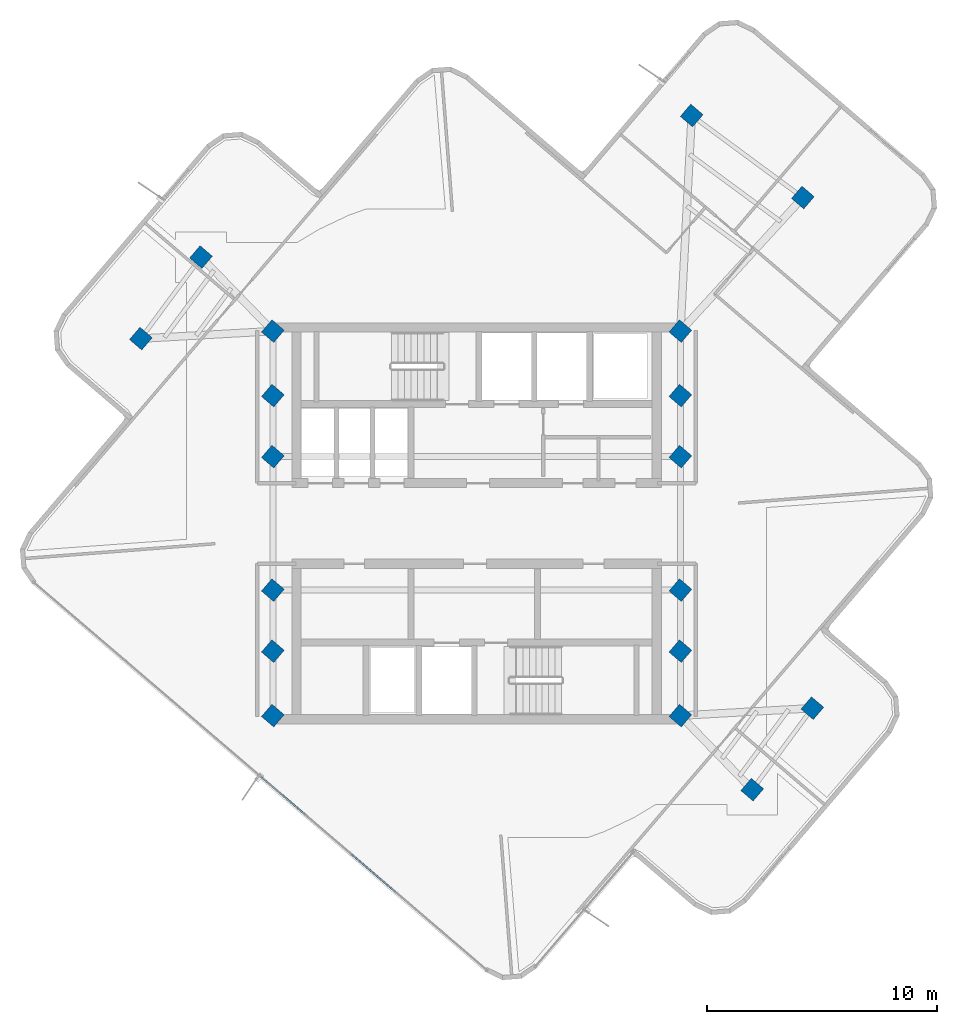
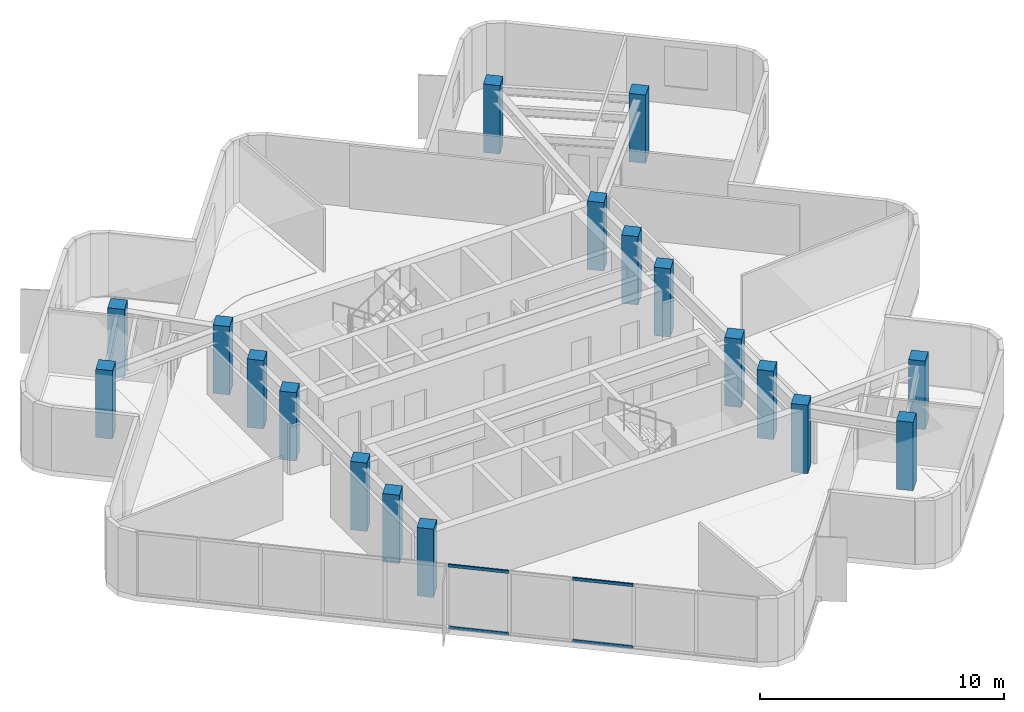
# One storey, part 1 of 11: 18 columns, 4 members, 1 element without a shape of its own.
"""IFC4 building model written with IfcOpenShell, lengths in metres."""

from ifc_helpers import new_model, si_unit, direction, frame, origin, origin_2d, place, context, subcontext, project, spatial, rectangle, extrude, material, layer, layer_set, material_profile, profile_set, type_object, element, aggregate, save


model = new_model("IFC4")

# Units and contexts
model_context = context("Model", 3, precision=1e-05, world=origin(), true_north=direction((0.0, 1.0)))
body_context = subcontext(model_context, "Body", "Model", "MODEL_VIEW")
ifc_project = project(units=[si_unit("LENGTHUNIT", "METRE"), si_unit("AREAUNIT", "SQUARE_METRE"), si_unit("VOLUMEUNIT", "CUBIC_METRE"), si_unit("PLANEANGLEUNIT", "RADIAN"), si_unit("MASSUNIT", "GRAM", prefix="KILO")], contexts=[model_context])

# Site, building, storey
site_placement = place(None, origin())
site = spatial("IfcSite", under=ifc_project, at=site_placement, CompositionType="ELEMENT")
building_placement = place(site_placement, origin())
building = spatial("IfcBuilding", under=site, at=building_placement, Name="Solmarez Civic Tower", CompositionType="ELEMENT")
storey_placement = place(building_placement, frame((0.0, 0.0, 250.919921875)))
storey = spatial("IfcBuildingStorey", under=building, at=storey_placement, Name="L67", CompositionType="ELEMENT", Elevation=250.919921875)

# Columns
ifc_material_1 = material(Name="Concrete C50/60", Category="concrete")
ifc_material_profile_1 = material_profile(ifc_material_1, rectangle(XDim=0.699951171875, YDim=0.699951171875, at=origin_2d()), Name="RC700X700")
ifc_profile_set_1 = profile_set([ifc_material_profile_1], Name="Concrete C50/60")
column_type = type_object("IfcColumnType", Name="COL-RC700", PredefinedType="COLUMN", material=ifc_profile_set_1)
for number, where, z_axis, x_axis, name in (
    (1, (-8.85009765625, -5.550048828125, 0.0), (0.0, 0.0, 1.0), (0.65024398735, 0.759725448379, 0.0), "L67 Structural Column HC1"),
    (2, (-8.85009765625, -2.89990234375, 0.0), (0.0, 0.0, 1.0), (0.65024398735, 0.759725448379, 0.0), "L67 Structural Column HC2"),
    (3, (-8.85009765625, 2.89990234375, 0.0), (0.0, 0.0, 1.0), (0.65024398735, 0.759725448379, 0.0), "L67 Structural Column HC3"),
    (4, (-8.85009765625, 5.550048828125, 0.0), (0.0, 0.0, 1.0), (0.65024398735, 0.759725448379, 0.0), "L67 Structural Column HC4"),
    (5, (8.85009765625, -5.550048828125, 0.0), (0.0, 0.0, 1.0), (0.65024398735, 0.759725448379, 0.0), "L67 Structural Column HC5"),
    (6, (8.85009765625, -2.89990234375, 0.0), (0.0, 0.0, 1.0), (0.65024398735, 0.759725448379, 0.0), "L67 Structural Column HC6"),
    (7, (8.85009765625, 2.89990234375, 0.0), (0.0, 0.0, 1.0), (0.65024398735, 0.759725448379, 0.0), "L67 Structural Column HC7"),
    (8, (8.85009765625, 5.550048828125, 0.0), (0.0, 0.0, 1.0), (0.65024398735, 0.759725448379, 0.0), "L67 Structural Column HC8"),
    (9, (-8.85009765625, 8.35009765625, 0.0), (0.0, 0.0, 1.0), (0.65024398735, 0.759725448379, 0.0), "L67 Structural Column HC9"),
    (10, (8.85009765625, -8.35009765625, 0.0), (0.0, 0.0, 1.0), (0.65024398735, 0.759725448379, 0.0), "L67 Structural Column HC10"),
    (11, (8.85009765625, 8.35009765625, 0.0), (0.0, 0.0, 1.0), (0.65024398735, 0.759725448379, 0.0), "L67 Structural Column HC11"),
    (12, (-8.85009765625, -8.35009765625, 0.0), (0.0, 0.0, 1.0), (0.65024398735, 0.759725448379, 0.0), "L67 Structural Column HC12"),
    (13, (14.1689453125, 14.152099609375, 0.0), (0.0, 0.0, 1.0), (0.65024398735, 0.759725448379, 0.0), "L67 Structural Column EA11"),
    (14, (9.341064453125, 17.714111328125, 0.0), (0.0, 0.0, 1.0), (0.65024398735, 0.759725448379, 0.0), "L67 Structural Column EA12"),
    (15, (-11.970947265625, 11.56591796875, 0.0), (0.0, 0.0, 1.0), (0.65024398735, 0.759725448379, 0.0), "L67 Structural Column NA11"),
    (16, (-14.5830078125, 8.02587890625, 0.0), (0.0, 0.0, 1.0), (0.65024398735, 0.759725448379, 0.0), "L67 Structural Column NA12"),
    (17, (11.970947265625, -11.56591796875, 0.0), (0.0, 0.0, 1.0), (0.65024398735, 0.759725448379, 0.0), "L67 Structural Column SA11"),
    (18, (14.5830078125, -8.02587890625, 0.0), (0.0, 0.0, 1.0), (0.65024398735, 0.759725448379, 0.0), "L67 Structural Column SA12"),
):
    element("IfcColumn", number, at=place(storey_placement, frame(where, z_axis=z_axis, x_axis=x_axis)), inside=storey, type_object=column_type, Name=name, PredefinedType="COLUMN", context=body_context, shape_type="SweptSolid", body=[
        extrude(rectangle(XDim=0.699951171875, YDim=0.699951171875, at=origin_2d()), origin(), (0.0, 0.0, 1.0), 3.420166015625),
    ])

# Curtain wall, members
ifc_material_2 = material(Name="Bronze Anodised Aluminium EN AW-6063 T6", Category="aluminium")
ifc_layer = layer(ifc_material_2, 0.1650390625)
ifc_layer_set = layer_set([ifc_layer], Name="Bronze Anodised Aluminium EN AW-6063 T6")
curtain_wall_type = type_object("IfcCurtainWallType", Name="CW-SYS-4", PredefinedType="NOTDEFINED", material=ifc_layer_set)
curtain_wall_placement = place(storey_placement, origin())
curtain_wall = element("IfcCurtainWall", 19, at=curtain_wall_placement, inside=storey, type_object=curtain_wall_type, Name="L67 Stick-Built Curtain Wall 2", PredefinedType="NOTDEFINED")
ifc_material_profile_2 = material_profile(ifc_material_2, rectangle(XDim=0.070068359375, YDim=0.139892578125, at=origin_2d()), Name="CWT-70X140")
ifc_profile_set_2 = profile_set([ifc_material_profile_2], Name="Bronze Anodised Aluminium EN AW-6063 T6")
member_type = type_object("IfcMemberType", Name="CWT-TYPE-1", PredefinedType="USERDEFINED", material=ifc_profile_set_2)
member_1_placement = place(storey_placement, frame((-3.510498046875, -16.015380859375, 0.03515625), z_axis=(-0.75969877174, 0.650275154237, 0.0), x_axis=(-0.650275154237, -0.75969877174, 0.0)))
member_1 = element("IfcMember", 20, at=member_1_placement, type_object=member_type, Name="CWS4 transom 3.1", ObjectType="TRANSOM", PredefinedType="USERDEFINED", context=body_context, shape_type="SweptSolid", body=[
    extrude(rectangle(XDim=0.070068359375, YDim=0.139892578125, at=origin_2d()), origin(), (0.0, 0.0, 1.0), 2.532470703125),
])
member_2_placement = place(storey_placement, frame((-3.510498046875, -16.015380859375, 3.125), z_axis=(-0.75969877174, 0.650275154237, 0.0), x_axis=(-0.650275154237, -0.75969877174, 0.0)))
member_2 = element("IfcMember", 21, at=member_2_placement, type_object=member_type, Name="CWS4 transom 3.2", ObjectType="TRANSOM", PredefinedType="USERDEFINED", context=body_context, shape_type="SweptSolid", body=[
    extrude(rectangle(XDim=0.070068359375, YDim=0.139892578125, at=origin_2d()), origin(), (0.0, 0.0, 1.0), 2.532470703125),
])
member_3_placement = place(storey_placement, frame((-7.449462890625, -12.64404296875, 0.03515625), z_axis=(-0.75974639975, 0.650219507603, 0.0), x_axis=(-0.650219507603, -0.75974639975, 0.0)))
member_3 = element("IfcMember", 22, at=member_3_placement, type_object=member_type, Name="CWS4 transom 5.1", ObjectType="TRANSOM", PredefinedType="USERDEFINED", context=body_context, shape_type="SweptSolid", body=[
    extrude(rectangle(XDim=0.070068359375, YDim=0.139892578125, at=origin_2d()), origin(), (0.0, 0.0, 1.0), 2.5322265625),
])
member_4_placement = place(storey_placement, frame((-7.449462890625, -12.64404296875, 3.125), z_axis=(-0.75974639975, 0.650219507603, 0.0), x_axis=(-0.650219507603, -0.75974639975, 0.0)))
member_4 = element("IfcMember", 23, at=member_4_placement, type_object=member_type, Name="CWS4 transom 5.2", ObjectType="TRANSOM", PredefinedType="USERDEFINED", context=body_context, shape_type="SweptSolid", body=[
    extrude(rectangle(XDim=0.070068359375, YDim=0.139892578125, at=origin_2d()), origin(), (0.0, 0.0, 1.0), 2.5322265625),
])
aggregate(curtain_wall, [member_1, member_2, member_3, member_4])

save(model, "model.ifc")
